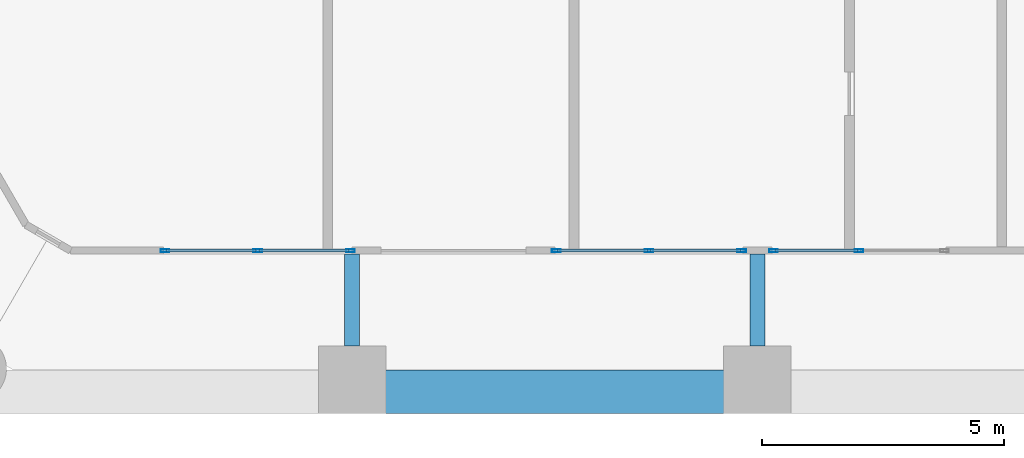
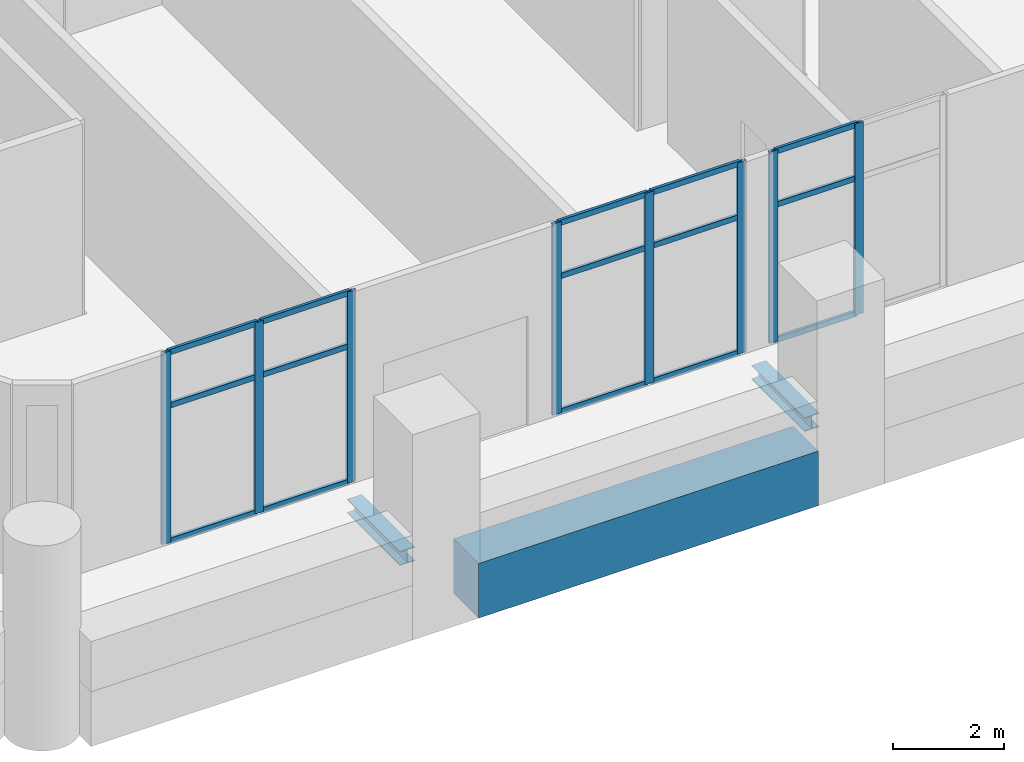
# One storey, part 3 of 18: 23 members, 3 beams, 3 elements without a shape of their own.
"""IFC4 building model written with IfcOpenShell, lengths in metres."""

import ifcopenshell
import ifcopenshell.guid

model = None  # the IFC model being written
_history = None  # IfcOwnerHistory: only IFC2X3 demands one
_inside = {}  # id of a spatial element -> (the spatial element, [elements in it])
_under = {}  # id of a project, library or spatial element -> (it, [spatial elements below it])
_declared = {}  # id of a project -> (the project, [libraries it declares])
_typed = {}  # id of a type object -> (the type object, [elements of that type])
_made_of = {}  # id of a material, layer set ... -> (it, [elements and type objects made of it])


def new_model(schema):
    """Start an empty IFC model of exactly this schema.

    Asked for "IFC4X3", IfcOpenShell would pick the latest addendum, in which some entities
    have other attributes; the version numbers below select the first issue.
    IFC2X3 requires an IfcOwnerHistory on every rooted entity: one is made here for all.
    """
    global model, _history
    if schema == "IFC4X3":
        model = ifcopenshell.file(schema_version=(4, 3, 0, 0))
    else:
        model = ifcopenshell.file(schema=schema)
    _inside.clear()
    _under.clear()
    _declared.clear()
    _typed.clear()
    _made_of.clear()
    _history = None
    if model.schema == "IFC2X3":
        org = make("IfcOrganization", Name="unknown")
        user = make(
            "IfcPersonAndOrganization",
            ThePerson=make("IfcPerson", FamilyName="unknown"),
            TheOrganization=org,
        )
        app = make(
            "IfcApplication",
            ApplicationDeveloper=org,
            Version="unknown",
            ApplicationFullName="unknown",
            ApplicationIdentifier="unknown",
        )
        _history = make(
            "IfcOwnerHistory",
            OwningUser=user,
            OwningApplication=app,
            ChangeAction="ADDED",
            CreationDate=0,
        )
    return model


def make(cls, **values):
    """One entity of the class cls with the attributes given. An attribute that is None is left unset."""
    return model.create_entity(
        cls, **{name: value for name, value in values.items() if value is not None}
    )


def rooted(cls, **values):
    """An entity with a GlobalId (a new one), such as an element, a storey or a relation."""
    return make(cls, GlobalId=ifcopenshell.guid.new(), OwnerHistory=_history, **values)


def si_unit(unit_type, name, prefix=None):
    """IfcSIUnit, for example si_unit("LENGTHUNIT", "METRE", prefix="MILLI")."""
    return make("IfcSIUnit", UnitType=unit_type, Prefix=prefix, Name=name)


def assignment(units):
    """IfcUnitAssignment: the units of a project."""
    return None if units is None else make("IfcUnitAssignment", Units=units)


def point(xyz):
    """IfcCartesianPoint."""
    return None if xyz is None else make("IfcCartesianPoint", Coordinates=xyz)


def direction(xyz):
    """IfcDirection."""
    return None if xyz is None else make("IfcDirection", DirectionRatios=xyz)


def frame(location, z_axis=None, x_axis=None):
    """IfcAxis2Placement3D, a coordinate frame: its origin and axes. An axis left out is left unset."""
    return make(
        "IfcAxis2Placement3D",
        Location=point(location),
        Axis=direction(z_axis),
        RefDirection=direction(x_axis),
    )


def frame_2d(location, x_axis=None):
    """IfcAxis2Placement2D, a coordinate frame in the plane: its origin and x axis."""
    return make(
        "IfcAxis2Placement2D", Location=point(location), RefDirection=direction(x_axis)
    )


def origin():
    """The frame at (0, 0, 0) with its axes left unset."""
    return frame((0.0, 0.0, 0.0))


def origin_2d():
    """The frame at (0, 0) in the plane with its x axis left unset."""
    return frame_2d((0.0, 0.0))


def place(relative_to, where):
    """IfcLocalPlacement: puts the frame where relative to a parent placement (None: the world)."""
    return make(
        "IfcLocalPlacement", PlacementRelTo=relative_to, RelativePlacement=where
    )


def context(
    kind, dimensions, precision=None, world=None, true_north=None, identifier=None
):
    """IfcGeometricRepresentationContext, for example the 3D "Model" context."""
    return make(
        "IfcGeometricRepresentationContext",
        ContextIdentifier=identifier,
        ContextType=kind,
        CoordinateSpaceDimension=dimensions,
        Precision=precision,
        WorldCoordinateSystem=world,
        TrueNorth=true_north,
    )


def subcontext(parent, identifier, kind, view, scale=None):
    """IfcGeometricRepresentationSubContext, for example "Body" below "Model"."""
    return make(
        "IfcGeometricRepresentationSubContext",
        ContextIdentifier=identifier,
        ContextType=kind,
        ParentContext=parent,
        TargetScale=scale,
        TargetView=view,
    )


def project(units=None, contexts=None):
    """IfcProject with its units and contexts."""
    return rooted(
        "IfcProject",
        Name="project",
        RepresentationContexts=contexts,
        UnitsInContext=assignment(units),
    )


def spatial(cls, under=None, at=None, **own):
    """A site, building, storey or space (cls), placed at a placement, below another one or the project."""
    s = rooted(cls, ObjectPlacement=at, **own)
    if under is not None:
        _under.setdefault(under.id(), (under, []))[1].append(s)
    return s


def profile(cls, at=None, kind="AREA", **sizes):
    """A parametric profile (cls). Its sizes go by their IFC names, for example OverallWidth=200.0."""
    return make(cls, ProfileType=kind, Position=at, **sizes)


def rectangle(**sizes):
    """IfcRectangleProfileDef."""
    return profile("IfcRectangleProfileDef", **sizes)


def hollow_rectangle(**sizes):
    """IfcRectangleHollowProfileDef."""
    return profile("IfcRectangleHollowProfileDef", **sizes)


def i_section(**sizes):
    """IfcIShapeProfileDef."""
    return profile("IfcIShapeProfileDef", **sizes)


def extrude(swept, where, along, depth):
    """IfcExtrudedAreaSolid: the profile swept, set in the frame where, extruded along a direction by depth."""
    return make(
        "IfcExtrudedAreaSolid",
        SweptArea=swept,
        Position=where,
        ExtrudedDirection=direction(along),
        Depth=depth,
    )


def shape(context_of_items, identifier, shape_type, items):
    """IfcShapeRepresentation: the items that make up one representation, for example the "Body"."""
    return make(
        "IfcShapeRepresentation",
        ContextOfItems=context_of_items,
        RepresentationIdentifier=identifier,
        RepresentationType=shape_type,
        Items=items,
    )


def material(Name=None, Category=None):
    """IfcMaterial."""
    return make("IfcMaterial", Name=Name, Category=Category)


def material_profile(
    of_material, cross_section, Name=None, Category=None, Priority=None
):
    """IfcMaterialProfile: a cross section and its material."""
    return make(
        "IfcMaterialProfile",
        Name=Name,
        Material=of_material,
        Profile=cross_section,
        Priority=Priority,
        Category=Category,
    )


def profile_set(profiles, Name=None, composite=None):
    """IfcMaterialProfileSet."""
    return make(
        "IfcMaterialProfileSet",
        Name=Name,
        MaterialProfiles=profiles,
        CompositeProfile=composite,
    )


def made_of(thing, what):
    """Note that an element or type object is made of a material, layer set ...; save() writes the relation."""
    if what is not None:
        _made_of.setdefault(what.id(), (what, []))[1].append(thing)
    return thing


def type_object(cls, material=None, **own):
    """A type object (cls), such as IfcWallType, which elements share."""
    return made_of(rooted(cls, **own), material)


def element(
    cls,
    number,
    at=None,
    inside=None,
    cuts=None,
    type_object=None,
    material=None,
    context=None,
    identifier="Body",
    shape_type=None,
    held_by="IfcProductDefinitionShape",
    body=None,
    shapes=None,
    **own,
):
    """One element of the class cls, such as IfcWall. Its Tag is "e" and its number.

    at: its placement. inside: the storey or other place that contains it. cuts: it is an
    opening in that element (IfcRelVoidsElement). A single representation is given by context,
    identifier, shape_type and body (its items); several are given by shapes. held_by: the class
    of the entity that holds the representations. save() writes the other relations.
    """
    e = rooted(cls, Tag="e%d" % number, ObjectPlacement=at, **own)
    if body is not None:
        shapes = [shape(context, identifier, shape_type, body)]
    if shapes is not None:
        e.Representation = make(held_by, Representations=shapes)
    if inside is not None:
        _inside.setdefault(inside.id(), (inside, []))[1].append(e)
    if cuts is not None:
        rooted(
            "IfcRelVoidsElement", RelatingBuildingElement=cuts, RelatedOpeningElement=e
        )
    if type_object is not None:
        _typed.setdefault(type_object.id(), (type_object, []))[1].append(e)
    return made_of(e, material)


def aggregate(whole, parts):
    """IfcRelAggregates: a whole, such as a stair, and the parts it consists of."""
    return rooted("IfcRelAggregates", RelatingObject=whole, RelatedObjects=parts)


def save(model, path):
    """Write the relations noted so far, then the file.

    IfcRelAggregates (storeys below a building ...), IfcRelContainedInSpatialStructure (elements
    in a storey), IfcRelDefinesByType, IfcRelAssociatesMaterial and IfcRelDeclares: one each for
    every whole, place, type object, material and project.
    """
    for whole, parts in _under.values():
        aggregate(whole, parts)
    for where, things in _inside.values():
        rooted(
            "IfcRelContainedInSpatialStructure",
            RelatedElements=things,
            RelatingStructure=where,
        )
    for kind, things in _typed.values():
        rooted("IfcRelDefinesByType", RelatedObjects=things, RelatingType=kind)
    for what, things in _made_of.values():
        rooted("IfcRelAssociatesMaterial", RelatedObjects=things, RelatingMaterial=what)
    for by, libraries in _declared.values():
        rooted("IfcRelDeclares", RelatingContext=by, RelatedDefinitions=libraries)
    model.write(path)


model = new_model("IFC4")

# Units and contexts
model_context = context("Model", 3, precision=1e-05, world=origin(), true_north=direction((0.0, 1.0)))
body_context = subcontext(model_context, "Body", "Model", "MODEL_VIEW")
ifc_project = project(units=[si_unit("LENGTHUNIT", "METRE"), si_unit("AREAUNIT", "SQUARE_METRE"), si_unit("VOLUMEUNIT", "CUBIC_METRE"), si_unit("PLANEANGLEUNIT", "RADIAN"), si_unit("MASSUNIT", "GRAM", prefix="KILO")], contexts=[model_context])

# Site, building, storey
site_placement = place(None, origin())
site = spatial("IfcSite", under=ifc_project, at=site_placement, CompositionType="ELEMENT")
building_placement = place(site_placement, origin())
building = spatial("IfcBuilding", under=site, at=building_placement, Name="Ostrander Bayou Hotel Tower", CompositionType="ELEMENT")
storey_placement = place(building_placement, frame((0.0, 0.0, 14.5)))
storey = spatial("IfcBuildingStorey", under=building, at=storey_placement, Name="L03", CompositionType="ELEMENT", Elevation=14.5)

# Curtain wall, members
ifc_material_1 = material(Name="Aluminium and clear glass", Category="aluminium")
curtain_wall_type = type_object("IfcCurtainWallType", Name="CW-SKY amenity glass wall", PredefinedType="NOTDEFINED", material=ifc_material_1)
curtain_wall_1_placement = place(storey_placement, origin())
curtain_wall_1 = element("IfcCurtainWall", 1, at=curtain_wall_1_placement, inside=storey, type_object=curtain_wall_type, Name="CW-SKY L03 S 1", PredefinedType="NOTDEFINED")
ifc_material_2 = material(Name="Aluminium", Category="aluminium")
ifc_material_profile_1 = material_profile(ifc_material_2, hollow_rectangle(XDim=0.06005859375, YDim=0.179931640625, WallThickness=0.00390625, at=origin_2d()))
ifc_profile_set_1 = profile_set([ifc_material_profile_1], Name="Aluminium")
member_type_1 = type_object("IfcMemberType", Name="CW-SK mullion 60 x 180 mm", PredefinedType="MULLION", material=ifc_profile_set_1)
member_1_placement = place(storey_placement, frame((-8.070068359375, -18.425048828125, 0.0), z_axis=(0.0, 0.0, 1.0), x_axis=(0.0, 1.0, 0.0)))
member_1 = element("IfcMember", 2, at=member_1_placement, type_object=member_type_1, Name="CW-SKY mullion 1", PredefinedType="MULLION", context=body_context, shape_type="SweptSolid", body=[
    extrude(hollow_rectangle(XDim=0.06005859375, YDim=0.179931640625, WallThickness=0.00390625, at=origin_2d()), origin(), (0.0, 0.0, 1.0), 4.199951171875),
])
member_2_placement = place(storey_placement, frame((-6.14990234375, -18.425048828125, 0.0), z_axis=(0.0, 0.0, 1.0), x_axis=(0.0, 1.0, 0.0)))
member_2 = element("IfcMember", 3, at=member_2_placement, type_object=member_type_1, Name="CW-SKY mullion 2", PredefinedType="MULLION", context=body_context, shape_type="SweptSolid", body=[
    extrude(hollow_rectangle(XDim=0.06005859375, YDim=0.179931640625, WallThickness=0.00390625, at=origin_2d()), origin(), (0.0, 0.0, 1.0), 4.199951171875),
])
member_3_placement = place(storey_placement, frame((-4.22998046875, -18.425048828125, 0.0), z_axis=(0.0, 0.0, 1.0), x_axis=(0.0, 1.0, 0.0)))
member_3 = element("IfcMember", 4, at=member_3_placement, type_object=member_type_1, Name="CW-SKY mullion 3", PredefinedType="MULLION", context=body_context, shape_type="SweptSolid", body=[
    extrude(hollow_rectangle(XDim=0.06005859375, YDim=0.179931640625, WallThickness=0.00390625, at=origin_2d()), origin(), (0.0, 0.0, 1.0), 4.199951171875),
])

curtain_wall_2_placement = place(storey_placement, origin())
curtain_wall_2 = element("IfcCurtainWall", 5, at=curtain_wall_2_placement, inside=storey, type_object=curtain_wall_type, Name="CW-SKY L03 S 3", PredefinedType="NOTDEFINED")
member_4_placement = place(storey_placement, frame((0.030029296875, -18.425048828125, 0.0), z_axis=(0.0, 0.0, 1.0), x_axis=(0.0, 1.0, 0.0)))
member_4 = element("IfcMember", 6, at=member_4_placement, type_object=member_type_1, Name="CW-SKY mullion 1", PredefinedType="MULLION", context=body_context, shape_type="SweptSolid", body=[
    extrude(hollow_rectangle(XDim=0.06005859375, YDim=0.179931640625, WallThickness=0.00390625, at=origin_2d()), origin(), (0.0, 0.0, 1.0), 4.199951171875),
])
member_5_placement = place(storey_placement, frame((1.949951171875, -18.425048828125, 0.0), z_axis=(0.0, 0.0, 1.0), x_axis=(0.0, 1.0, 0.0)))
member_5 = element("IfcMember", 7, at=member_5_placement, type_object=member_type_1, Name="CW-SKY mullion 2", PredefinedType="MULLION", context=body_context, shape_type="SweptSolid", body=[
    extrude(hollow_rectangle(XDim=0.06005859375, YDim=0.179931640625, WallThickness=0.00390625, at=origin_2d()), origin(), (0.0, 0.0, 1.0), 4.199951171875),
])
member_6_placement = place(storey_placement, frame((3.8701171875, -18.425048828125, 0.0), z_axis=(0.0, 0.0, 1.0), x_axis=(0.0, 1.0, 0.0)))
member_6 = element("IfcMember", 8, at=member_6_placement, type_object=member_type_1, Name="CW-SKY mullion 3", PredefinedType="MULLION", context=body_context, shape_type="SweptSolid", body=[
    extrude(hollow_rectangle(XDim=0.06005859375, YDim=0.179931640625, WallThickness=0.00390625, at=origin_2d()), origin(), (0.0, 0.0, 1.0), 4.199951171875),
])

curtain_wall_3_placement = place(storey_placement, origin())
curtain_wall_3 = element("IfcCurtainWall", 9, at=curtain_wall_3_placement, inside=storey, type_object=curtain_wall_type, Name="CW-SKY L03 S 4", PredefinedType="NOTDEFINED")
member_7_placement = place(storey_placement, frame((4.530029296875, -18.425048828125, 0.0), z_axis=(0.0, 0.0, 1.0), x_axis=(0.0, 1.0, 0.0)))
member_7 = element("IfcMember", 10, at=member_7_placement, type_object=member_type_1, Name="CW-SKY mullion 1", PredefinedType="MULLION", context=body_context, shape_type="SweptSolid", body=[
    extrude(hollow_rectangle(XDim=0.06005859375, YDim=0.179931640625, WallThickness=0.00390625, at=origin_2d()), origin(), (0.0, 0.0, 1.0), 4.199951171875),
])
member_8_placement = place(storey_placement, frame((6.300048828125, -18.425048828125, 0.0), z_axis=(0.0, 0.0, 1.0), x_axis=(0.0, 1.0, 0.0)))
member_8 = element("IfcMember", 11, at=member_8_placement, type_object=member_type_1, Name="CW-SKY mullion 2", PredefinedType="MULLION", context=body_context, shape_type="SweptSolid", body=[
    extrude(hollow_rectangle(XDim=0.06005859375, YDim=0.179931640625, WallThickness=0.00390625, at=origin_2d()), origin(), (0.0, 0.0, 1.0), 4.199951171875),
])

# Member
ifc_material_3 = material(Name="Aluminium", Category="aluminium")
ifc_material_profile_2 = material_profile(ifc_material_3, hollow_rectangle(XDim=0.06005859375, YDim=0.1201171875, WallThickness=0.00390625, at=origin_2d()))
ifc_profile_set_2 = profile_set([ifc_material_profile_2], Name="Aluminium")
member_type_2 = type_object("IfcMemberType", Name="CW-SK transom 60 x 120 mm", PredefinedType="USERDEFINED", material=ifc_profile_set_2)
member_9_placement = place(storey_placement, frame((-8.0400390625, -18.425048828125, 0.030029296875), z_axis=(1.0, 0.0, 0.0), x_axis=(0.0, 1.0, 0.0)))
member_9 = element("IfcMember", 12, at=member_9_placement, type_object=member_type_2, Name="CW-SKY transom 1.1", ObjectType="TRANSOM", PredefinedType="USERDEFINED", context=body_context, shape_type="SweptSolid", body=[
    extrude(hollow_rectangle(XDim=0.06005859375, YDim=0.1201171875, WallThickness=0.00390625, at=origin_2d()), origin(), (0.0, 0.0, 1.0), 1.860107421875),
])

member_10_placement = place(storey_placement, frame((-8.0400390625, -18.425048828125, 3.0), z_axis=(1.0, 0.0, 0.0), x_axis=(0.0, 1.0, 0.0)))
member_10 = element("IfcMember", 13, at=member_10_placement, type_object=member_type_2, Name="CW-SKY transom 1.2", ObjectType="TRANSOM", PredefinedType="USERDEFINED", context=body_context, shape_type="SweptSolid", body=[
    extrude(hollow_rectangle(XDim=0.06005859375, YDim=0.1201171875, WallThickness=0.00390625, at=origin_2d()), origin(), (0.0, 0.0, 1.0), 1.860107421875),
])

member_11_placement = place(storey_placement, frame((-8.0400390625, -18.425048828125, 4.169921875), z_axis=(1.0, 0.0, 0.0), x_axis=(0.0, 1.0, 0.0)))
member_11 = element("IfcMember", 14, at=member_11_placement, type_object=member_type_2, Name="CW-SKY transom 1.3", ObjectType="TRANSOM", PredefinedType="USERDEFINED", context=body_context, shape_type="SweptSolid", body=[
    extrude(hollow_rectangle(XDim=0.06005859375, YDim=0.1201171875, WallThickness=0.00390625, at=origin_2d()), origin(), (0.0, 0.0, 1.0), 1.860107421875),
])

member_12_placement = place(storey_placement, frame((-6.1201171875, -18.425048828125, 0.030029296875), z_axis=(1.0, 0.0, 0.0), x_axis=(0.0, 1.0, 0.0)))
member_12 = element("IfcMember", 15, at=member_12_placement, type_object=member_type_2, Name="CW-SKY transom 2.1", ObjectType="TRANSOM", PredefinedType="USERDEFINED", context=body_context, shape_type="SweptSolid", body=[
    extrude(hollow_rectangle(XDim=0.06005859375, YDim=0.1201171875, WallThickness=0.00390625, at=origin_2d()), origin(), (0.0, 0.0, 1.0), 1.860107421875),
])

member_13_placement = place(storey_placement, frame((-6.1201171875, -18.425048828125, 3.0), z_axis=(1.0, 0.0, 0.0), x_axis=(0.0, 1.0, 0.0)))
member_13 = element("IfcMember", 16, at=member_13_placement, type_object=member_type_2, Name="CW-SKY transom 2.2", ObjectType="TRANSOM", PredefinedType="USERDEFINED", context=body_context, shape_type="SweptSolid", body=[
    extrude(hollow_rectangle(XDim=0.06005859375, YDim=0.1201171875, WallThickness=0.00390625, at=origin_2d()), origin(), (0.0, 0.0, 1.0), 1.860107421875),
])

member_14_placement = place(storey_placement, frame((-6.1201171875, -18.425048828125, 4.169921875), z_axis=(1.0, 0.0, 0.0), x_axis=(0.0, 1.0, 0.0)))
member_14 = element("IfcMember", 17, at=member_14_placement, type_object=member_type_2, Name="CW-SKY transom 2.3", ObjectType="TRANSOM", PredefinedType="USERDEFINED", context=body_context, shape_type="SweptSolid", body=[
    extrude(hollow_rectangle(XDim=0.06005859375, YDim=0.1201171875, WallThickness=0.00390625, at=origin_2d()), origin(), (0.0, 0.0, 1.0), 1.860107421875),
])

aggregate(curtain_wall_1, [member_1, member_2, member_3, member_9, member_10, member_11, member_12, member_13, member_14])

member_15_placement = place(storey_placement, frame((0.06005859375, -18.425048828125, 0.030029296875), z_axis=(1.0, 0.0, 0.0), x_axis=(0.0, 1.0, 0.0)))
member_15 = element("IfcMember", 18, at=member_15_placement, type_object=member_type_2, Name="CW-SKY transom 1.1", ObjectType="TRANSOM", PredefinedType="USERDEFINED", context=body_context, shape_type="SweptSolid", body=[
    extrude(hollow_rectangle(XDim=0.06005859375, YDim=0.1201171875, WallThickness=0.00390625, at=origin_2d()), origin(), (0.0, 0.0, 1.0), 1.85986328125),
])

member_16_placement = place(storey_placement, frame((0.06005859375, -18.425048828125, 3.0), z_axis=(1.0, 0.0, 0.0), x_axis=(0.0, 1.0, 0.0)))
member_16 = element("IfcMember", 19, at=member_16_placement, type_object=member_type_2, Name="CW-SKY transom 1.2", ObjectType="TRANSOM", PredefinedType="USERDEFINED", context=body_context, shape_type="SweptSolid", body=[
    extrude(hollow_rectangle(XDim=0.06005859375, YDim=0.1201171875, WallThickness=0.00390625, at=origin_2d()), origin(), (0.0, 0.0, 1.0), 1.85986328125),
])

member_17_placement = place(storey_placement, frame((0.06005859375, -18.425048828125, 4.169921875), z_axis=(1.0, 0.0, 0.0), x_axis=(0.0, 1.0, 0.0)))
member_17 = element("IfcMember", 20, at=member_17_placement, type_object=member_type_2, Name="CW-SKY transom 1.3", ObjectType="TRANSOM", PredefinedType="USERDEFINED", context=body_context, shape_type="SweptSolid", body=[
    extrude(hollow_rectangle(XDim=0.06005859375, YDim=0.1201171875, WallThickness=0.00390625, at=origin_2d()), origin(), (0.0, 0.0, 1.0), 1.85986328125),
])

member_18_placement = place(storey_placement, frame((1.97998046875, -18.425048828125, 0.030029296875), z_axis=(1.0, 0.0, 0.0), x_axis=(0.0, 1.0, 0.0)))
member_18 = element("IfcMember", 21, at=member_18_placement, type_object=member_type_2, Name="CW-SKY transom 2.1", ObjectType="TRANSOM", PredefinedType="USERDEFINED", context=body_context, shape_type="SweptSolid", body=[
    extrude(hollow_rectangle(XDim=0.06005859375, YDim=0.1201171875, WallThickness=0.00390625, at=origin_2d()), origin(), (0.0, 0.0, 1.0), 1.860107421875),
])

member_19_placement = place(storey_placement, frame((1.97998046875, -18.425048828125, 3.0), z_axis=(1.0, 0.0, 0.0), x_axis=(0.0, 1.0, 0.0)))
member_19 = element("IfcMember", 22, at=member_19_placement, type_object=member_type_2, Name="CW-SKY transom 2.2", ObjectType="TRANSOM", PredefinedType="USERDEFINED", context=body_context, shape_type="SweptSolid", body=[
    extrude(hollow_rectangle(XDim=0.06005859375, YDim=0.1201171875, WallThickness=0.00390625, at=origin_2d()), origin(), (0.0, 0.0, 1.0), 1.860107421875),
])

member_20_placement = place(storey_placement, frame((1.97998046875, -18.425048828125, 4.169921875), z_axis=(1.0, 0.0, 0.0), x_axis=(0.0, 1.0, 0.0)))
member_20 = element("IfcMember", 23, at=member_20_placement, type_object=member_type_2, Name="CW-SKY transom 2.3", ObjectType="TRANSOM", PredefinedType="USERDEFINED", context=body_context, shape_type="SweptSolid", body=[
    extrude(hollow_rectangle(XDim=0.06005859375, YDim=0.1201171875, WallThickness=0.00390625, at=origin_2d()), origin(), (0.0, 0.0, 1.0), 1.860107421875),
])

aggregate(curtain_wall_2, [member_4, member_5, member_6, member_15, member_16, member_17, member_18, member_19, member_20])

member_21_placement = place(storey_placement, frame((4.56005859375, -18.425048828125, 0.030029296875), z_axis=(1.0, 0.0, 0.0), x_axis=(0.0, 1.0, 0.0)))
member_21 = element("IfcMember", 24, at=member_21_placement, type_object=member_type_2, Name="CW-SKY transom 1.1", ObjectType="TRANSOM", PredefinedType="USERDEFINED", context=body_context, shape_type="SweptSolid", body=[
    extrude(hollow_rectangle(XDim=0.06005859375, YDim=0.1201171875, WallThickness=0.00390625, at=origin_2d()), origin(), (0.0, 0.0, 1.0), 1.7099609375),
])

member_22_placement = place(storey_placement, frame((4.56005859375, -18.425048828125, 3.0), z_axis=(1.0, 0.0, 0.0), x_axis=(0.0, 1.0, 0.0)))
member_22 = element("IfcMember", 25, at=member_22_placement, type_object=member_type_2, Name="CW-SKY transom 1.2", ObjectType="TRANSOM", PredefinedType="USERDEFINED", context=body_context, shape_type="SweptSolid", body=[
    extrude(hollow_rectangle(XDim=0.06005859375, YDim=0.1201171875, WallThickness=0.00390625, at=origin_2d()), origin(), (0.0, 0.0, 1.0), 1.7099609375),
])

member_23_placement = place(storey_placement, frame((4.56005859375, -18.425048828125, 4.169921875), z_axis=(1.0, 0.0, 0.0), x_axis=(0.0, 1.0, 0.0)))
member_23 = element("IfcMember", 26, at=member_23_placement, type_object=member_type_2, Name="CW-SKY transom 1.3", ObjectType="TRANSOM", PredefinedType="USERDEFINED", context=body_context, shape_type="SweptSolid", body=[
    extrude(hollow_rectangle(XDim=0.06005859375, YDim=0.1201171875, WallThickness=0.00390625, at=origin_2d()), origin(), (0.0, 0.0, 1.0), 1.7099609375),
])

aggregate(curtain_wall_3, [member_7, member_8, member_21, member_22, member_23])

# Beams
ifc_material_4 = material(Name="Steel ASTM A992", Category="steel")
ifc_material_profile_3 = material_profile(ifc_material_4, i_section(OverallWidth=0.3046875, OverallDepth=0.307861328125, WebThickness=0.010009765625, FlangeThickness=0.015380859375, at=origin_2d()))
ifc_profile_set_3 = profile_set([ifc_material_profile_3], Name="Steel ASTM A992")
beam_type_1 = type_object("IfcBeamType", Name="LB1 loggia bracket W12x65", PredefinedType="BEAM", material=ifc_profile_set_3)
for number, where, z_axis, x_axis, name in (
    (27, (-4.1953125, -20.39990234375, -0.453857421875), (0.0, 1.0, 0.0), (-1.0, 0.0, 0.0), "LB1 L03 S1"),
    (28, (4.1953125, -20.39990234375, -0.453857421875), (0.0, 1.0, 0.0), (-1.0, 0.0, 0.0), "LB1 L03 S2"),
):
    element("IfcBeam", number, at=place(storey_placement, frame(where, z_axis=z_axis, x_axis=x_axis)), inside=storey, type_object=beam_type_1, Name=name, PredefinedType="BEAM", context=body_context, shape_type="SweptSolid", body=[
        extrude(i_section(OverallWidth=0.3046875, OverallDepth=0.307861328125, WebThickness=0.010009765625, FlangeThickness=0.015380859375, at=origin_2d()), origin(), (0.0, 0.0, 1.0), 1.89990234375),
    ])
ifc_material_5 = material(Name="Concrete f'c 70 MPa", Category="concrete")
ifc_material_profile_4 = material_profile(ifc_material_5, rectangle(XDim=0.89990234375, YDim=1.199951171875, at=origin_2d()))
ifc_profile_set_4 = profile_set([ifc_material_profile_4], Name="Concrete f'c 70 MPa")
beam_type_2 = type_object("IfcBeamType", Name="SP1 spandrel beam 900 x 1200 mm f'c 70 MPa", PredefinedType="SPANDREL", material=ifc_profile_set_4)
beam_placement = place(storey_placement, frame((-3.525390625, -21.35009765625, -0.60009765625), z_axis=(1.0, 0.0, 0.0), x_axis=(0.0, 1.0, 0.0)))
element("IfcBeam", 29, at=beam_placement, inside=storey, type_object=beam_type_2, Name="SP1 L03 S-2", PredefinedType="SPANDREL", context=body_context, shape_type="SweptSolid", body=[
    extrude(rectangle(XDim=0.89990234375, YDim=1.199951171875, at=origin_2d()), origin(), (0.0, 0.0, 1.0), 7.05078125),
])

save(model, "model.ifc")
